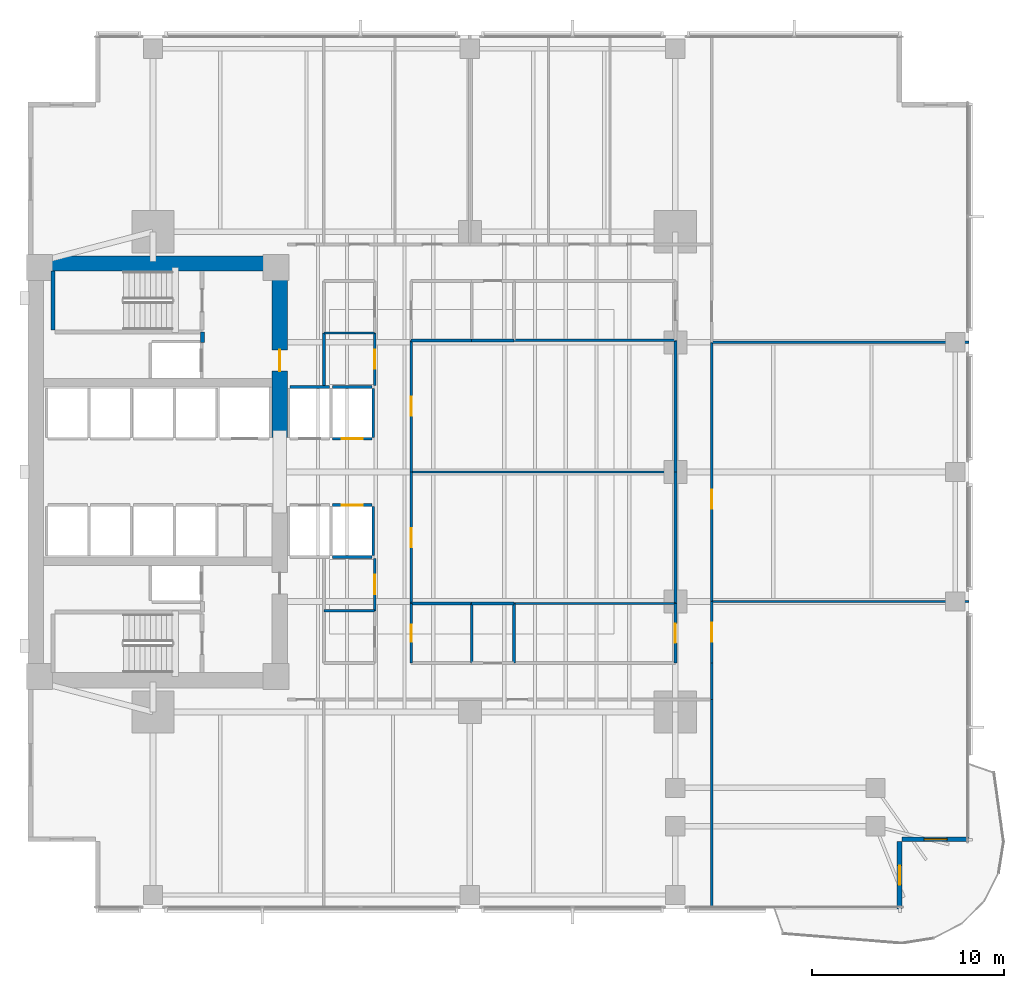
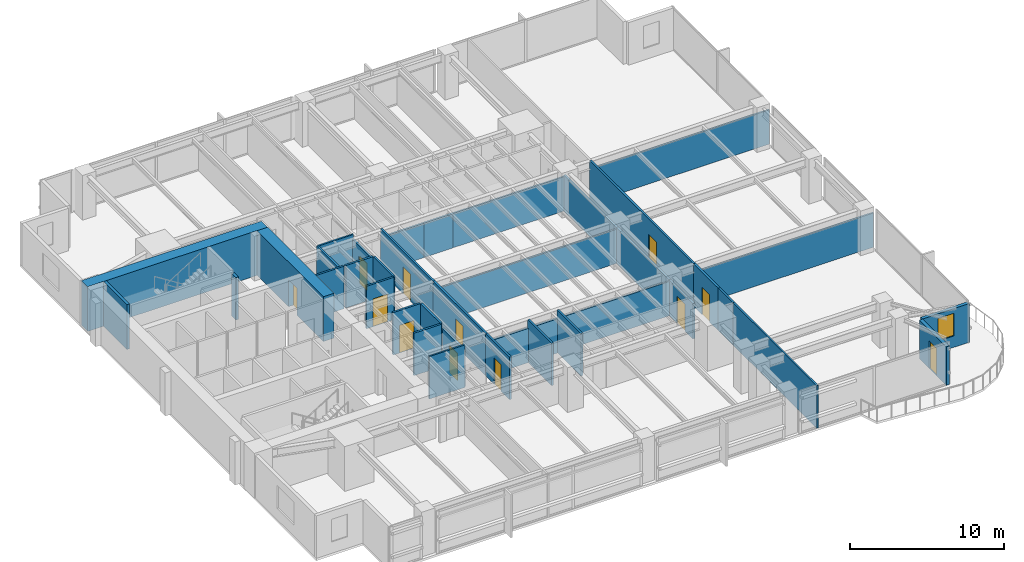
# One storey, part 9 of 15: 39 walls, 12 doors, 1 window, 13 openings.
"""IFC4 building model written with IfcOpenShell, lengths in metres."""

from ifc_helpers import new_model, si_unit, direction, frame, frame_2d, origin, place, context, subcontext, project, spatial, rectangle, extrude, material, layer, layer_set, type_object, element, fill, save


model = new_model("IFC4")

# Units and contexts
model_context = context("Model", 3, precision=1e-05, world=origin(), true_north=direction((0.0, 1.0)))
body_context = subcontext(model_context, "Body", "Model", "MODEL_VIEW")
ifc_project = project(units=[si_unit("LENGTHUNIT", "METRE"), si_unit("AREAUNIT", "SQUARE_METRE"), si_unit("VOLUMEUNIT", "CUBIC_METRE"), si_unit("PLANEANGLEUNIT", "RADIAN"), si_unit("MASSUNIT", "GRAM", prefix="KILO")], contexts=[model_context])

# Site, building, storey
site_placement = place(None, origin())
site = spatial("IfcSite", under=ifc_project, at=site_placement, CompositionType="ELEMENT")
building_placement = place(site_placement, origin())
building = spatial("IfcBuilding", under=site, at=building_placement, Name="Kinhvarn Gate Tower", CompositionType="ELEMENT")
storey_placement = place(building_placement, frame((0.0, 0.0, 50.449951171875)))
storey = spatial("IfcBuildingStorey", under=building, at=storey_placement, Name="L12", CompositionType="ELEMENT", Elevation=50.449951171875)

# Wall
ifc_material_1 = material(Name="Concrete C70/85", Category="concrete")
ifc_layer_1 = layer(ifc_material_1, 0.800048828125)
ifc_layer_set_1 = layer_set([ifc_layer_1], Name="Concrete C70/85")
wall_type_1 = type_object("IfcWallType", Name="WL-CORE-800", PredefinedType="SHEAR", material=ifc_layer_set_1)
wall_1_placement = place(storey_placement, frame((4.5, 36.10009765625, 0.0), z_axis=(0.0, 0.0, 1.0), x_axis=(1.0, 0.0, 0.0)))
element("IfcWall", 1, at=wall_1_placement, inside=storey, type_object=wall_type_1, Name="Core North Shear Wall L12 800 mm", PredefinedType="SHEAR", context=body_context, shape_type="SweptSolid", body=[
    extrude(rectangle(XDim=13.5, YDim=0.800048828125, at=frame_2d((6.75, 0.0))), origin(), (0.0, 0.0, 1.0), 3.550048828125),
])

# Wall, opening, door
wall_2_placement = place(storey_placement, frame((17.60009765625, 27.050048828125, 0.0), z_axis=(0.0, 0.0, 1.0), x_axis=(0.0, 1.0, 0.0)))
wall_2 = element("IfcWall", 2, at=wall_2_placement, inside=storey, type_object=wall_type_1, Name="Core East-North Shear Pier L12 800 mm", PredefinedType="SHEAR", context=body_context, shape_type="SweptSolid", body=[
    extrude(rectangle(XDim=8.64990234375, YDim=0.800048828125, at=frame_2d((4.324951171875, 0.0))), origin(), (0.0, 0.0, 1.0), 3.550048828125),
])
opening_1_placement = place(wall_2_placement, frame((3.449951171875, 0.0, 0.0)))
opening_1 = element("IfcOpeningElement", 3, at=opening_1_placement, cuts=wall_2, Name="Opening FD-02", PredefinedType="OPENING", context=body_context, shape_type="SweptSolid", body=[
    extrude(rectangle(XDim=1.10009765625, YDim=2.14990234375, at=frame_2d((0.550048828125, 1.074951171875))), frame((0.0, 0.41015625, 0.0), z_axis=(0.0, -1.0, 0.0), x_axis=(1.0, 0.0, 0.0)), (0.0, 0.0, 1.0), 0.820068359375),
])
ifc_material_2 = material(Name="Anodised aluminium AW-6063", Category="aluminium")
door_type_1 = type_object("IfcDoorType", Name="DR-FD-1100", OperationType="NOTDEFINED", PredefinedType="DOOR", material=ifc_material_2)
door_1_placement = place(opening_1_placement, origin())
door_1 = element("IfcDoor", 4, at=door_1_placement, inside=storey, type_object=door_type_1, Name="Firefighting Lobby Core Door (L12)", OperationType="SINGLE_SWING_LEFT", OverallHeight=2.14990234375, OverallWidth=1.10009765625, PredefinedType="DOOR", context=body_context, shape_type="SweptSolid", body=[
    extrude(rectangle(XDim=1.10009765625, YDim=2.14990234375, at=frame_2d((0.550048828125, 1.074951171875))), frame((0.0, 0.02490234375, 0.0), z_axis=(0.0, -1.0, 0.0), x_axis=(1.0, 0.0, 0.0)), (0.0, 0.0, 1.0), 0.050048828125),
])
fill(opening_1, door_1)

ifc_material_3 = material(Name="Fired architectural terracotta", Category="masonry")
ifc_layer_2 = layer(ifc_material_3, 0.25)
ifc_layer_set_2 = layer_set([ifc_layer_2], Name="Fired architectural terracotta")
wall_type_2 = type_object("IfcWallType", Name="WL-EXT-250", PredefinedType="SOLIDWALL", material=ifc_layer_set_2)
wall_3_placement = place(storey_placement, frame((49.875, 2.5, 0.0), z_axis=(0.0, 0.0, 1.0), x_axis=(0.0, 1.0, 0.0)))
wall_3 = element("IfcWall", 5, at=wall_3_placement, inside=storey, type_object=wall_type_2, Name="Exterior Solidwall Wall EW-250 (L12 SE-Notch-Door)", PredefinedType="SOLIDWALL", context=body_context, shape_type="SweptSolid", body=[
    extrude(rectangle(XDim=3.5, YDim=0.25, at=frame_2d((1.75, 0.0))), origin(), (0.0, 0.0, 1.0), 3.070068359375),
])
opening_2_placement = place(wall_3_placement, frame((1.25, 0.0, 0.0)))
opening_2 = element("IfcOpeningElement", 6, at=opening_2_placement, cuts=wall_3, Name="Opening BD-01", PredefinedType="OPENING", context=body_context, shape_type="SweptSolid", body=[
    extrude(rectangle(XDim=1.0, YDim=2.199951171875, at=frame_2d((0.5, 1.10009765625))), frame((0.0, 0.135009765625, 0.0), z_axis=(0.0, -1.0, 0.0), x_axis=(1.0, 0.0, 0.0)), (0.0, 0.0, 1.0), 0.27001953125),
])
ifc_material_4 = material(Name="Clear low-e double glazing", Category="glass")
door_type_2 = type_object("IfcDoorType", Name="DR-BAL-1000", OperationType="NOTDEFINED", PredefinedType="DOOR", material=ifc_material_4)
door_2_placement = place(opening_2_placement, frame((1.0, 0.0, 0.0), z_axis=(0.0, 0.0, 1.0), x_axis=(-1.0, 0.0, 0.0)))
door_2 = element("IfcDoor", 7, at=door_2_placement, inside=storey, type_object=door_type_2, Name="S-Carve Balcony Door BD-01 (L12)", OperationType="SINGLE_SWING_LEFT", OverallHeight=2.199951171875, OverallWidth=1.0, PredefinedType="DOOR", context=body_context, shape_type="SweptSolid", body=[
    extrude(rectangle(XDim=1.0, YDim=2.199951171875, at=frame_2d((0.5, 1.10009765625))), frame((0.0, 0.02490234375, 0.0), z_axis=(0.0, -1.0, 0.0), x_axis=(1.0, 0.0, 0.0)), (0.0, 0.0, 1.0), 0.050048828125),
])
fill(opening_2, door_2)

# Wall, opening, window
wall_4_placement = place(storey_placement, frame((50.0, 6.125, 0.0), z_axis=(0.0, 0.0, 1.0), x_axis=(1.0, 0.0, 0.0)))
wall_4 = element("IfcWall", 8, at=wall_4_placement, inside=storey, type_object=wall_type_2, Name="Exterior Solidwall Wall EW-250 (L12 SE-Notch-Win)", PredefinedType="SOLIDWALL", context=body_context, shape_type="SweptSolid", body=[
    extrude(rectangle(XDim=3.5, YDim=0.25, at=frame_2d((1.75, 0.0))), origin(), (0.0, 0.0, 1.0), 3.070068359375),
])
opening_3_placement = place(wall_4_placement, frame((1.14990234375, 0.0, 0.89990234375)))
opening_3 = element("IfcOpeningElement", 9, at=opening_3_placement, cuts=wall_4, Name="Opening WN-02", PredefinedType="OPENING", context=body_context, shape_type="SweptSolid", body=[
    extrude(rectangle(XDim=1.199951171875, YDim=1.800048828125, at=frame_2d((0.60009765625, 0.89990234375))), frame((0.0, 0.135009765625, 0.0), z_axis=(0.0, -1.0, 0.0), x_axis=(1.0, 0.0, 0.0)), (0.0, 0.0, 1.0), 0.27001953125),
])
window_type = type_object("IfcWindowType", Name="WIN-NTC-1200", PartitioningType="SINGLE_PANEL", PredefinedType="WINDOW", material=ifc_material_4)
window_placement = place(opening_3_placement, origin())
window = element("IfcWindow", 10, at=window_placement, inside=storey, type_object=window_type, Name="Recessed Corner Notch Punched Window 1200x1800 mm (L12)", OverallHeight=1.800048828125, OverallWidth=1.199951171875, PartitioningType="SINGLE_PANEL", PredefinedType="WINDOW", context=body_context, shape_type="SweptSolid", body=[
    extrude(rectangle(XDim=1.199951171875, YDim=1.800048828125, at=frame_2d((0.60009765625, 0.89990234375))), frame((0.0, 0.030029296875, 0.0), z_axis=(0.0, -1.0, 0.0), x_axis=(1.0, 0.0, 0.0)), (0.0, 0.0, 1.0), 0.06005859375),
])
fill(opening_3, window)

# Walls
ifc_material_5 = material(Name="Gypsum acoustic partition board")
ifc_layer_3 = layer(ifc_material_5, 0.14990234375)
ifc_layer_set_3 = layer_set([ifc_layer_3], Name="Gypsum acoustic partition board")
wall_type_3 = type_object("IfcWallType", Name="WL-PLM-150", PredefinedType="PLUMBINGWALL", material=ifc_layer_set_3)
wall_5_placement = place(storey_placement, frame((27.60009765625, 15.300048828125, 0.0), z_axis=(0.0, 0.0, 1.0), x_axis=(0.0, 1.0, 0.0)))
element("IfcWall", 11, at=wall_5_placement, inside=storey, type_object=wall_type_3, Name="Interior Partition PLW-150 (L12)", PredefinedType="PLUMBINGWALL", context=body_context, shape_type="SweptSolid", body=[
    extrude(rectangle(XDim=3.099853515625, YDim=0.14990234375, at=frame_2d((1.5498046875, 0.0))), origin(), (0.0, 0.0, 1.0), 3.3701171875),
])
for number, where, z_axis, x_axis, name in (
    (12, (24.449951171875, 18.39990234375, 0.0), (0.0, 0.0, 1.0), (1.0, 0.0, 0.0), "Interior Partition PLW-150 (L12)"),
    (13, (24.449951171875, 32.10009765625, 0.0), (0.0, 0.0, 1.0), (1.0, 0.0, 0.0), "Interior Partition PLW-150 (L12)"),
):
    element("IfcWall", number, at=place(storey_placement, frame(where, z_axis=z_axis, x_axis=x_axis)), inside=storey, type_object=wall_type_3, Name=name, PredefinedType="PLUMBINGWALL", context=body_context, shape_type="SweptSolid", body=[
        extrude(rectangle(XDim=3.150146484375, YDim=0.14990234375, at=frame_2d((1.5751953125, 0.0))), origin(), (0.0, 0.0, 1.0), 2.719970703125),
    ])
wall_6_placement = place(storey_placement, frame((29.800048828125, 15.300048828125, 0.0), z_axis=(0.0, 0.0, 1.0), x_axis=(0.0, 1.0, 0.0)))
element("IfcWall", 14, at=wall_6_placement, inside=storey, type_object=wall_type_3, Name="Interior Partition PLW-150 (L12)", PredefinedType="PLUMBINGWALL", context=body_context, shape_type="SweptSolid", body=[
    extrude(rectangle(XDim=3.099853515625, YDim=0.14990234375, at=frame_2d((1.5498046875, 0.0))), origin(), (0.0, 0.0, 1.0), 3.3701171875),
])
for number, where, z_axis, x_axis, name in (
    (15, (27.60009765625, 18.39990234375, 0.0), (0.0, 0.0, 1.0), (1.0, 0.0, 0.0), "Interior Partition PLW-150 (L12)"),
    (16, (27.60009765625, 32.10009765625, 0.0), (0.0, 0.0, 1.0), (1.0, 0.0, 0.0), "Interior Partition PLW-150 (L12)"),
):
    element("IfcWall", number, at=place(storey_placement, frame(where, z_axis=z_axis, x_axis=x_axis)), inside=storey, type_object=wall_type_3, Name=name, PredefinedType="PLUMBINGWALL", context=body_context, shape_type="SweptSolid", body=[
        extrude(rectangle(XDim=2.199951171875, YDim=0.14990234375, at=frame_2d((1.10009765625, 0.0))), origin(), (0.0, 0.0, 1.0), 2.719970703125),
    ])

# Wall, opening, door
ifc_layer_4 = layer(ifc_material_5, 0.14990234375)
ifc_layer_set_4 = layer_set([ifc_layer_4], Name="Gypsum acoustic partition board")
wall_type_4 = type_object("IfcWallType", Name="WL-PLM-150F", PredefinedType="PLUMBINGWALL", material=ifc_layer_set_4)
wall_7_placement = place(storey_placement, frame((24.449951171875, 15.300048828125, 0.0), z_axis=(0.0, 0.0, 1.0), x_axis=(0.0, 1.0, 0.0)))
wall_7 = element("IfcWall", 17, at=wall_7_placement, inside=storey, type_object=wall_type_4, Name="Interior Partition PLW-150F (L12)", PredefinedType="PLUMBINGWALL", context=body_context, shape_type="SweptSolid", body=[
    extrude(rectangle(XDim=3.099853515625, YDim=0.14990234375, at=frame_2d((1.5498046875, 0.0))), origin(), (0.0, 0.0, 1.0), 3.3701171875),
])
opening_4_placement = place(wall_7_placement, frame((1.10009765625, 0.0, 0.0)))
opening_4 = element("IfcOpeningElement", 18, at=opening_4_placement, cuts=wall_7, Name="Opening FD-04", PredefinedType="OPENING", context=body_context, shape_type="SweptSolid", body=[
    extrude(rectangle(XDim=0.89990234375, YDim=2.10009765625, at=frame_2d((0.449951171875, 1.050048828125))), frame((0.0, 0.0849609375, 0.0), z_axis=(0.0, -1.0, 0.0), x_axis=(1.0, 0.0, 0.0)), (0.0, 0.0, 1.0), 0.169921875),
])
door_type_3 = type_object("IfcDoorType", Name="DR-FD-900", OperationType="NOTDEFINED", PredefinedType="DOOR", material=ifc_material_2)
door_3_placement = place(opening_4_placement, origin())
door_3 = element("IfcDoor", 19, at=door_3_placement, inside=storey, type_object=door_type_3, Name="Rated Riser & Service Closet Fire Door 900x2100 mm (L12)", OperationType="SINGLE_SWING_LEFT", OverallHeight=2.10009765625, OverallWidth=0.89990234375, PredefinedType="DOOR", context=body_context, shape_type="SweptSolid", body=[
    extrude(rectangle(XDim=0.89990234375, YDim=2.10009765625, at=frame_2d((0.449951171875, 1.050048828125))), frame((0.0, 0.02490234375, 0.0), z_axis=(0.0, -1.0, 0.0), x_axis=(1.0, 0.0, 0.0)), (0.0, 0.0, 1.0), 0.050048828125),
])
fill(opening_4, door_3)

# Walls
ifc_layer_5 = layer(ifc_material_5, 0.1201171875)
ifc_layer_set_5 = layer_set([ifc_layer_5], Name="Gypsum acoustic partition board")
wall_type_5 = type_object("IfcWallType", Name="WL-PRT-120", PredefinedType="PARTITIONING", material=ifc_layer_set_5)
for number, where, z_axis, x_axis, name in (
    (20, (19.89990234375, 18.02001953125, 0.0), (0.0, 0.0, 1.0), (1.0, 0.0, 0.0), "Interior Partition PW-120 (L12)"),
    (21, (19.89990234375, 32.47998046875, 0.0), (0.0, 0.0, 1.0), (1.0, 0.0, 0.0), "Interior Partition PW-120 (L12)"),
):
    element("IfcWall", number, at=place(storey_placement, frame(where, z_axis=z_axis, x_axis=x_axis)), inside=storey, type_object=wall_type_5, Name=name, PredefinedType="PARTITIONING", context=body_context, shape_type="SweptSolid", body=[
        extrude(rectangle(XDim=2.650146484375, YDim=0.1201171875, at=frame_2d((1.3251953125, 0.0))), origin(), (0.0, 0.0, 1.0), 3.3701171875),
    ])
for number, where, z_axis, x_axis, name in (
    (22, (29.800048828125, 18.39990234375, 0.0), (0.0, 0.0, 1.0), (1.0, 0.0, 0.0), "Interior Partition PW-120 (L12)"),
    (23, (29.800048828125, 32.10009765625, 0.0), (0.0, 0.0, 1.0), (1.0, 0.0, 0.0), "Interior Partition PW-120 (L12)"),
):
    element("IfcWall", number, at=place(storey_placement, frame(where, z_axis=z_axis, x_axis=x_axis)), inside=storey, type_object=wall_type_5, Name=name, PredefinedType="PARTITIONING", context=body_context, shape_type="SweptSolid", body=[
        extrude(rectangle(XDim=8.39990234375, YDim=0.1201171875, at=frame_2d((4.199951171875, 0.0))), origin(), (0.0, 0.0, 1.0), 2.719970703125),
    ])
wall_8_placement = place(storey_placement, frame((24.449951171875, 25.25, 0.0), z_axis=(0.0, 0.0, 1.0), x_axis=(1.0, 0.0, 0.0)))
element("IfcWall", 24, at=wall_8_placement, inside=storey, type_object=wall_type_5, Name="Interior Partition PW-120 (L12)", PredefinedType="PARTITIONING", context=body_context, shape_type="SweptSolid", body=[
    extrude(rectangle(XDim=13.75, YDim=0.1201171875, at=frame_2d((6.875, 0.0))), origin(), (0.0, 0.0, 1.0), 2.719970703125),
])
wall_9_placement = place(storey_placement, frame((40.10009765625, 2.510009765625, 0.0), z_axis=(0.0, 0.0, 1.0), x_axis=(0.0, 1.0, 0.0)))
element("IfcWall", 25, at=wall_9_placement, inside=storey, type_object=wall_type_5, Name="Interior Partition PW-120 (L12)", PredefinedType="PARTITIONING", context=body_context, shape_type="SweptSolid", body=[
    extrude(rectangle(XDim=10.889892578125, YDim=0.1201171875, at=frame_2d((5.44482421875, 0.0))), origin(), (0.0, 0.0, 1.0), 3.3701171875),
])
for number, where, z_axis, x_axis, name in (
    (26, (40.10009765625, 18.5, 0.0), (0.0, 0.0, 1.0), (1.0, 0.0, 0.0), "Interior Partition PW-120 (L12)"),
    (27, (40.10009765625, 32.0, 0.0), (0.0, 0.0, 1.0), (1.0, 0.0, 0.0), "Interior Partition PW-120 (L12)"),
):
    element("IfcWall", number, at=place(storey_placement, frame(where, z_axis=z_axis, x_axis=x_axis)), inside=storey, type_object=wall_type_5, Name=name, PredefinedType="PARTITIONING", context=body_context, shape_type="SweptSolid", body=[
        extrude(rectangle(XDim=13.389892578125, YDim=0.1201171875, at=frame_2d((6.69482421875, 0.0))), origin(), (0.0, 0.0, 1.0), 2.719970703125),
    ])

# Wall, opening, door
ifc_layer_6 = layer(ifc_material_5, 0.14990234375)
ifc_layer_set_6 = layer_set([ifc_layer_6], Name="Gypsum acoustic partition board")
wall_type_6 = type_object("IfcWallType", Name="WL-PRT-150F", PredefinedType="PARTITIONING", material=ifc_layer_set_6)
wall_10_placement = place(storey_placement, frame((22.550048828125, 18.02001953125, 0.0), z_axis=(0.0, 0.0, 1.0), x_axis=(0.0, 1.0, 0.0)))
wall_10 = element("IfcWall", 28, at=wall_10_placement, inside=storey, type_object=wall_type_6, Name="Interior Partition PW-150F (L12)", PredefinedType="PARTITIONING", context=body_context, shape_type="SweptSolid", body=[
    extrude(rectangle(XDim=2.72998046875, YDim=0.14990234375, at=frame_2d((1.364990234375, 0.0))), origin(), (0.0, 0.0, 1.0), 3.010009765625),
])
opening_5_placement = place(wall_10_placement, frame((0.864990234375, 0.0, 0.0)))
opening_5 = element("IfcOpeningElement", 29, at=opening_5_placement, cuts=wall_10, Name="Opening ID-02", PredefinedType="OPENING", context=body_context, shape_type="SweptSolid", body=[
    extrude(rectangle(XDim=1.0, YDim=2.14990234375, at=frame_2d((0.5, 1.074951171875))), frame((0.0, 0.0849609375, 0.0), z_axis=(0.0, -1.0, 0.0), x_axis=(1.0, 0.0, 0.0)), (0.0, 0.0, 1.0), 0.169921875),
])
door_type_4 = type_object("IfcDoorType", Name="DR-INT-1000", OperationType="NOTDEFINED", PredefinedType="DOOR", material=ifc_material_2)
door_4_placement = place(opening_5_placement, origin())
door_4 = element("IfcDoor", 30, at=door_4_placement, inside=storey, type_object=door_type_4, Name="Standard Office & Meeting Room Door 1000x2150 mm (L12)", OperationType="SINGLE_SWING_RIGHT", OverallHeight=2.14990234375, OverallWidth=1.0, PredefinedType="DOOR", context=body_context, shape_type="SweptSolid", body=[
    extrude(rectangle(XDim=1.0, YDim=2.14990234375, at=frame_2d((0.5, 1.074951171875))), frame((0.0, 0.02490234375, 0.0), z_axis=(0.0, -1.0, 0.0), x_axis=(1.0, 0.0, 0.0)), (0.0, 0.0, 1.0), 0.050048828125),
])
fill(opening_5, door_4)

wall_11_placement = place(storey_placement, frame((22.550048828125, 29.75, 0.0), z_axis=(0.0, 0.0, 1.0), x_axis=(0.0, 1.0, 0.0)))
wall_11 = element("IfcWall", 31, at=wall_11_placement, inside=storey, type_object=wall_type_6, Name="Interior Partition PW-150F (L12)", PredefinedType="PARTITIONING", context=body_context, shape_type="SweptSolid", body=[
    extrude(rectangle(XDim=2.72998046875, YDim=0.14990234375, at=frame_2d((1.364990234375, 0.0))), origin(), (0.0, 0.0, 1.0), 3.010009765625),
])
opening_6_placement = place(wall_11_placement, frame((0.864990234375, 0.0, 0.0)))
opening_6 = element("IfcOpeningElement", 32, at=opening_6_placement, cuts=wall_11, Name="Opening ID-02", PredefinedType="OPENING", context=body_context, shape_type="SweptSolid", body=[
    extrude(rectangle(XDim=1.0, YDim=2.14990234375, at=frame_2d((0.5, 1.074951171875))), frame((0.0, 0.0849609375, 0.0), z_axis=(0.0, -1.0, 0.0), x_axis=(1.0, 0.0, 0.0)), (0.0, 0.0, 1.0), 0.169921875),
])
door_5_placement = place(opening_6_placement, origin())
door_5 = element("IfcDoor", 33, at=door_5_placement, inside=storey, type_object=door_type_4, Name="Standard Office & Meeting Room Door 1000x2150 mm (L12)", OperationType="SINGLE_SWING_LEFT", OverallHeight=2.14990234375, OverallWidth=1.0, PredefinedType="DOOR", context=body_context, shape_type="SweptSolid", body=[
    extrude(rectangle(XDim=1.0, YDim=2.14990234375, at=frame_2d((0.5, 1.074951171875))), frame((0.0, 0.02490234375, 0.0), z_axis=(0.0, -1.0, 0.0), x_axis=(1.0, 0.0, 0.0)), (0.0, 0.0, 1.0), 0.050048828125),
])
fill(opening_6, door_5)

wall_12_placement = place(storey_placement, frame((24.449951171875, 18.39990234375, 0.0), z_axis=(0.0, 0.0, 1.0), x_axis=(0.0, 1.0, 0.0)))
wall_12 = element("IfcWall", 34, at=wall_12_placement, inside=storey, type_object=wall_type_6, Name="Interior Partition PW-150F (L12)", PredefinedType="PARTITIONING", context=body_context, shape_type="SweptSolid", body=[
    extrude(rectangle(XDim=6.85009765625, YDim=0.14990234375, at=frame_2d((3.425048828125, 0.0))), origin(), (0.0, 0.0, 1.0), 3.3701171875),
])
opening_7_placement = place(wall_12_placement, frame((2.925048828125, 0.0, 0.0)))
opening_7 = element("IfcOpeningElement", 35, at=opening_7_placement, cuts=wall_12, Name="Opening ID-02", PredefinedType="OPENING", context=body_context, shape_type="SweptSolid", body=[
    extrude(rectangle(XDim=1.0, YDim=2.14990234375, at=frame_2d((0.5, 1.074951171875))), frame((0.0, 0.0849609375, 0.0), z_axis=(0.0, -1.0, 0.0), x_axis=(1.0, 0.0, 0.0)), (0.0, 0.0, 1.0), 0.169921875),
])
door_6_placement = place(opening_7_placement, origin())
door_6 = element("IfcDoor", 36, at=door_6_placement, inside=storey, type_object=door_type_4, Name="Standard Office & Meeting Room Door 1000x2150 mm (L12)", OperationType="SINGLE_SWING_LEFT", OverallHeight=2.14990234375, OverallWidth=1.0, PredefinedType="DOOR", context=body_context, shape_type="SweptSolid", body=[
    extrude(rectangle(XDim=1.0, YDim=2.14990234375, at=frame_2d((0.5, 1.074951171875))), frame((0.0, 0.02490234375, 0.0), z_axis=(0.0, -1.0, 0.0), x_axis=(1.0, 0.0, 0.0)), (0.0, 0.0, 1.0), 0.050048828125),
])
fill(opening_7, door_6)

wall_13_placement = place(storey_placement, frame((24.449951171875, 25.25, 0.0), z_axis=(0.0, 0.0, 1.0), x_axis=(0.0, 1.0, 0.0)))
wall_13 = element("IfcWall", 37, at=wall_13_placement, inside=storey, type_object=wall_type_6, Name="Interior Partition PW-150F (L12)", PredefinedType="PARTITIONING", context=body_context, shape_type="SweptSolid", body=[
    extrude(rectangle(XDim=6.85009765625, YDim=0.14990234375, at=frame_2d((3.425048828125, 0.0))), origin(), (0.0, 0.0, 1.0), 3.3701171875),
])
opening_8_placement = place(wall_13_placement, frame((2.925048828125, 0.0, 0.0)))
opening_8 = element("IfcOpeningElement", 38, at=opening_8_placement, cuts=wall_13, Name="Opening ID-02", PredefinedType="OPENING", context=body_context, shape_type="SweptSolid", body=[
    extrude(rectangle(XDim=1.0, YDim=2.14990234375, at=frame_2d((0.5, 1.074951171875))), frame((0.0, 0.0849609375, 0.0), z_axis=(0.0, -1.0, 0.0), x_axis=(1.0, 0.0, 0.0)), (0.0, 0.0, 1.0), 0.169921875),
])
door_7_placement = place(opening_8_placement, origin())
door_7 = element("IfcDoor", 39, at=door_7_placement, inside=storey, type_object=door_type_4, Name="Standard Office & Meeting Room Door 1000x2150 mm (L12)", OperationType="SINGLE_SWING_RIGHT", OverallHeight=2.14990234375, OverallWidth=1.0, PredefinedType="DOOR", context=body_context, shape_type="SweptSolid", body=[
    extrude(rectangle(XDim=1.0, YDim=2.14990234375, at=frame_2d((0.5, 1.074951171875))), frame((0.0, 0.02490234375, 0.0), z_axis=(0.0, -1.0, 0.0), x_axis=(1.0, 0.0, 0.0)), (0.0, 0.0, 1.0), 0.050048828125),
])
fill(opening_8, door_7)

# Walls
wall_14_placement = place(storey_placement, frame((19.89990234375, 29.75, 0.0), z_axis=(0.0, 0.0, 1.0), x_axis=(0.0, 1.0, 0.0)))
element("IfcWall", 40, at=wall_14_placement, inside=storey, type_object=wall_type_6, Name="Interior Partition PW-150F (L12)", PredefinedType="PARTITIONING", context=body_context, shape_type="SweptSolid", body=[
    extrude(rectangle(XDim=2.72998046875, YDim=0.14990234375, at=frame_2d((1.364990234375, 0.0))), origin(), (0.0, 0.0, 1.0), 3.3701171875),
])
wall_15_placement = place(storey_placement, frame((40.10009765625, 13.39990234375, 0.0), z_axis=(0.0, 0.0, 1.0), x_axis=(0.0, 1.0, 0.0)))
element("IfcWall", 41, at=wall_15_placement, inside=storey, type_object=wall_type_6, Name="Interior Partition PW-150F (L12)", PredefinedType="PARTITIONING", context=body_context, shape_type="SweptSolid", body=[
    extrude(rectangle(XDim=1.900146484375, YDim=0.14990234375, at=frame_2d((0.9501953125, 0.0))), origin(), (0.0, 0.0, 1.0), 3.3701171875),
])

# Wall, opening, door
wall_16_placement = place(storey_placement, frame((38.199951171875, 15.300048828125, 0.0), z_axis=(0.0, 0.0, 1.0), x_axis=(0.0, 1.0, 0.0)))
wall_16 = element("IfcWall", 42, at=wall_16_placement, inside=storey, type_object=wall_type_6, Name="Interior Partition PW-150F (L12)", PredefinedType="PARTITIONING", context=body_context, shape_type="SweptSolid", body=[
    extrude(rectangle(XDim=3.099853515625, YDim=0.14990234375, at=frame_2d((1.5498046875, 0.0))), origin(), (0.0, 0.0, 1.0), 2.820068359375),
])
opening_9_placement = place(wall_16_placement, frame((1.050048828125, 0.0, 0.0)))
opening_9 = element("IfcOpeningElement", 43, at=opening_9_placement, cuts=wall_16, Name="Opening ID-02", PredefinedType="OPENING", context=body_context, shape_type="SweptSolid", body=[
    extrude(rectangle(XDim=1.0, YDim=2.14990234375, at=frame_2d((0.5, 1.074951171875))), frame((0.0, 0.0849609375, 0.0), z_axis=(0.0, -1.0, 0.0), x_axis=(1.0, 0.0, 0.0)), (0.0, 0.0, 1.0), 0.169921875),
])
door_8_placement = place(opening_9_placement, origin())
door_8 = element("IfcDoor", 44, at=door_8_placement, inside=storey, type_object=door_type_4, Name="Standard Office & Meeting Room Door 1000x2150 mm (L12)", OperationType="SINGLE_SWING_LEFT", OverallHeight=2.14990234375, OverallWidth=1.0, PredefinedType="DOOR", context=body_context, shape_type="SweptSolid", body=[
    extrude(rectangle(XDim=1.0, YDim=2.14990234375, at=frame_2d((0.5, 1.074951171875))), frame((0.0, 0.02490234375, 0.0), z_axis=(0.0, -1.0, 0.0), x_axis=(1.0, 0.0, 0.0)), (0.0, 0.0, 1.0), 0.050048828125),
])
fill(opening_9, door_8)

# Walls
for number, where, z_axis, x_axis, name in (
    (45, (38.199951171875, 18.39990234375, 0.0), (0.0, 0.0, 1.0), (0.0, 1.0, 0.0), "Interior Partition PW-150F (L12)"),
    (46, (38.199951171875, 25.25, 0.0), (0.0, 0.0, 1.0), (0.0, 1.0, 0.0), "Interior Partition PW-150F (L12)"),
):
    element("IfcWall", number, at=place(storey_placement, frame(where, z_axis=z_axis, x_axis=x_axis)), inside=storey, type_object=wall_type_6, Name=name, PredefinedType="PARTITIONING", context=body_context, shape_type="SweptSolid", body=[
        extrude(rectangle(XDim=6.85009765625, YDim=0.14990234375, at=frame_2d((3.425048828125, 0.0))), origin(), (0.0, 0.0, 1.0), 2.820068359375),
    ])

# Wall, opening, door
wall_17_placement = place(storey_placement, frame((40.10009765625, 15.300048828125, 0.0), z_axis=(0.0, 0.0, 1.0), x_axis=(0.0, 1.0, 0.0)))
wall_17 = element("IfcWall", 47, at=wall_17_placement, inside=storey, type_object=wall_type_6, Name="Interior Partition PW-150F (L12)", PredefinedType="PARTITIONING", context=body_context, shape_type="SweptSolid", body=[
    extrude(rectangle(XDim=3.199951171875, YDim=0.14990234375, at=frame_2d((1.60009765625, 0.0))), origin(), (0.0, 0.0, 1.0), 3.3701171875),
])
opening_10_placement = place(wall_17_placement, frame((1.10009765625, 0.0, 0.0)))
opening_10 = element("IfcOpeningElement", 48, at=opening_10_placement, cuts=wall_17, Name="Opening ID-02", PredefinedType="OPENING", context=body_context, shape_type="SweptSolid", body=[
    extrude(rectangle(XDim=1.0, YDim=2.14990234375, at=frame_2d((0.5, 1.074951171875))), frame((0.0, 0.0849609375, 0.0), z_axis=(0.0, -1.0, 0.0), x_axis=(1.0, 0.0, 0.0)), (0.0, 0.0, 1.0), 0.169921875),
])
door_9_placement = place(opening_10_placement, origin())
door_9 = element("IfcDoor", 49, at=door_9_placement, inside=storey, type_object=door_type_4, Name="Standard Office & Meeting Room Door 1000x2150 mm (L12)", OperationType="SINGLE_SWING_LEFT", OverallHeight=2.14990234375, OverallWidth=1.0, PredefinedType="DOOR", context=body_context, shape_type="SweptSolid", body=[
    extrude(rectangle(XDim=1.0, YDim=2.14990234375, at=frame_2d((0.5, 1.074951171875))), frame((0.0, 0.02490234375, 0.0), z_axis=(0.0, -1.0, 0.0), x_axis=(1.0, 0.0, 0.0)), (0.0, 0.0, 1.0), 0.050048828125),
])
fill(opening_10, door_9)

wall_18_placement = place(storey_placement, frame((40.10009765625, 18.5, 0.0), z_axis=(0.0, 0.0, 1.0), x_axis=(0.0, 1.0, 0.0)))
wall_18 = element("IfcWall", 50, at=wall_18_placement, inside=storey, type_object=wall_type_6, Name="Interior Partition PW-150F (L12)", PredefinedType="PARTITIONING", context=body_context, shape_type="SweptSolid", body=[
    extrude(rectangle(XDim=13.5, YDim=0.14990234375, at=frame_2d((6.75, 0.0))), origin(), (0.0, 0.0, 1.0), 3.3701171875),
])
opening_11_placement = place(wall_18_placement, frame((4.825927734375, 0.0, 0.0)))
opening_11 = element("IfcOpeningElement", 51, at=opening_11_placement, cuts=wall_18, Name="Opening ID-02", PredefinedType="OPENING", context=body_context, shape_type="SweptSolid", body=[
    extrude(rectangle(XDim=1.0, YDim=2.14990234375, at=frame_2d((0.5, 1.074951171875))), frame((0.0, 0.0849609375, 0.0), z_axis=(0.0, -1.0, 0.0), x_axis=(1.0, 0.0, 0.0)), (0.0, 0.0, 1.0), 0.169921875),
])
door_10_placement = place(opening_11_placement, origin())
door_10 = element("IfcDoor", 52, at=door_10_placement, inside=storey, type_object=door_type_4, Name="Standard Office & Meeting Room Door 1000x2150 mm (L12)", OperationType="SINGLE_SWING_RIGHT", OverallHeight=2.14990234375, OverallWidth=1.0, PredefinedType="DOOR", context=body_context, shape_type="SweptSolid", body=[
    extrude(rectangle(XDim=1.0, YDim=2.14990234375, at=frame_2d((0.5, 1.074951171875))), frame((0.0, 0.02490234375, 0.0), z_axis=(0.0, -1.0, 0.0), x_axis=(1.0, 0.0, 0.0)), (0.0, 0.0, 1.0), 0.050048828125),
])
fill(opening_11, door_10)

# Walls
ifc_layer_7 = layer(ifc_material_5, 0.199951171875)
ifc_layer_set_7 = layer_set([ifc_layer_7], Name="Gypsum acoustic partition board")
wall_type_7 = type_object("IfcWallType", Name="WL-PRT-200", PredefinedType="PARTITIONING", material=ifc_layer_set_7)
wall_19_placement = place(storey_placement, frame((13.580078125, 32.0, 0.0), z_axis=(0.0, 0.0, 1.0), x_axis=(0.0, 1.0, 0.0)))
element("IfcWall", 53, at=wall_19_placement, inside=storey, type_object=wall_type_7, Name="Interior Partition PW-200 (L12)", PredefinedType="PARTITIONING", context=body_context, shape_type="SweptSolid", body=[
    extrude(rectangle(XDim=0.5400390625, YDim=0.199951171875, at=frame_2d((0.27001953125, 0.0))), origin(), (0.0, 0.0, 1.0), 3.3701171875),
])
ifc_layer_8 = layer(ifc_material_5, 0.14990234375)
ifc_layer_set_8 = layer_set([ifc_layer_8], Name="Gypsum acoustic partition board")
wall_type_8 = type_object("IfcWallType", Name="WL-SHF-150", PredefinedType="PARTITIONING", material=ifc_layer_set_8)
wall_20_placement = place(storey_placement, frame((20.35009765625, 20.824951171875, 0.0), z_axis=(0.0, 0.0, 1.0), x_axis=(1.0, 0.0, 0.0)))
element("IfcWall", 54, at=wall_20_placement, inside=storey, type_object=wall_type_8, Name="Elevator PL-02 Hoistway Wall S (L12)", PredefinedType="PARTITIONING", context=body_context, shape_type="SweptSolid", body=[
    extrude(rectangle(XDim=2.0498046875, YDim=0.14990234375, at=frame_2d((1.02490234375, 0.0))), origin(), (0.0, 0.0, 1.0), 3.3701171875),
])

# Wall, opening, door
wall_21_placement = place(storey_placement, frame((20.35009765625, 23.52490234375, 0.0), z_axis=(0.0, 0.0, 1.0), x_axis=(1.0, 0.0, 0.0)))
wall_21 = element("IfcWall", 55, at=wall_21_placement, inside=storey, type_object=wall_type_8, Name="Elevator PL-02 Landing Wall (L12)", PredefinedType="PARTITIONING", context=body_context, shape_type="SweptSolid", body=[
    extrude(rectangle(XDim=2.0498046875, YDim=0.14990234375, at=frame_2d((1.02490234375, 0.0))), origin(), (0.0, 0.0, 1.0), 3.3701171875),
])
opening_12_placement = place(wall_21_placement, frame((0.47509765625, 0.0, 0.0)))
opening_12 = element("IfcOpeningElement", 56, at=opening_12_placement, cuts=wall_21, Name="Opening LD-01", PredefinedType="OPENING", context=body_context, shape_type="SweptSolid", body=[
    extrude(rectangle(XDim=1.10009765625, YDim=2.199951171875, at=frame_2d((0.550048828125, 1.10009765625))), frame((0.0, 0.0849609375, 0.0), z_axis=(0.0, -1.0, 0.0), x_axis=(1.0, 0.0, 0.0)), (0.0, 0.0, 1.0), 0.169921875),
])
door_type_5 = type_object("IfcDoorType", Name="DR-LND-PAS", OperationType="NOTDEFINED", PredefinedType="DOOR", material=ifc_material_2)
door_11_placement = place(opening_12_placement, origin())
door_11 = element("IfcDoor", 57, at=door_11_placement, inside=storey, type_object=door_type_5, Name="Elevator PL-02 Sliding Landing Door (L12)", OperationType="DOUBLE_DOOR_SLIDING", OverallHeight=2.199951171875, OverallWidth=1.10009765625, PredefinedType="DOOR", context=body_context, shape_type="SweptSolid", body=[
    extrude(rectangle(XDim=1.10009765625, YDim=2.199951171875, at=frame_2d((0.550048828125, 1.10009765625))), frame((0.0, 0.02490234375, 0.0), z_axis=(0.0, -1.0, 0.0), x_axis=(1.0, 0.0, 0.0)), (0.0, 0.0, 1.0), 0.050048828125),
])
fill(opening_12, door_11)

# Walls
wall_22_placement = place(storey_placement, frame((22.47509765625, 20.89990234375, 0.0), z_axis=(0.0, 0.0, 1.0), x_axis=(0.0, 1.0, 0.0)))
element("IfcWall", 58, at=wall_22_placement, inside=storey, type_object=wall_type_8, Name="Elevator PL-02 Hoistway Wall E (L12)", PredefinedType="PARTITIONING", context=body_context, shape_type="SweptSolid", body=[
    extrude(rectangle(XDim=2.550048828125, YDim=0.14990234375, at=frame_2d((1.27490234375, 0.0))), origin(), (0.0, 0.0, 1.0), 3.3701171875),
])
wall_23_placement = place(storey_placement, frame((18.14990234375, 29.675048828125, 0.0), z_axis=(0.0, 0.0, 1.0), x_axis=(1.0, 0.0, 0.0)))
element("IfcWall", 59, at=wall_23_placement, inside=storey, type_object=wall_type_8, Name="Elevator PL-03 Hoistway Wall N (L12)", PredefinedType="PARTITIONING", context=body_context, shape_type="SweptSolid", body=[
    extrude(rectangle(XDim=2.050048828125, YDim=0.14990234375, at=frame_2d((1.02490234375, 0.0))), origin(), (0.0, 0.0, 1.0), 3.3701171875),
])

# Wall, opening, door
wall_24_placement = place(storey_placement, frame((20.35009765625, 26.97509765625, 0.0), z_axis=(0.0, 0.0, 1.0), x_axis=(1.0, 0.0, 0.0)))
wall_24 = element("IfcWall", 60, at=wall_24_placement, inside=storey, type_object=wall_type_8, Name="Elevator PL-04 Landing Wall (L12)", PredefinedType="PARTITIONING", context=body_context, shape_type="SweptSolid", body=[
    extrude(rectangle(XDim=2.0498046875, YDim=0.14990234375, at=frame_2d((1.02490234375, 0.0))), origin(), (0.0, 0.0, 1.0), 3.3701171875),
])
opening_13_placement = place(wall_24_placement, frame((0.47509765625, 0.0, 0.0)))
opening_13 = element("IfcOpeningElement", 61, at=opening_13_placement, cuts=wall_24, Name="Opening LD-01", PredefinedType="OPENING", context=body_context, shape_type="SweptSolid", body=[
    extrude(rectangle(XDim=1.10009765625, YDim=2.199951171875, at=frame_2d((0.550048828125, 1.10009765625))), frame((0.0, 0.0849609375, 0.0), z_axis=(0.0, -1.0, 0.0), x_axis=(1.0, 0.0, 0.0)), (0.0, 0.0, 1.0), 0.169921875),
])
door_12_placement = place(opening_13_placement, origin())
door_12 = element("IfcDoor", 62, at=door_12_placement, inside=storey, type_object=door_type_5, Name="Elevator PL-04 Sliding Landing Door (L12)", OperationType="DOUBLE_DOOR_SLIDING", OverallHeight=2.199951171875, OverallWidth=1.10009765625, PredefinedType="DOOR", context=body_context, shape_type="SweptSolid", body=[
    extrude(rectangle(XDim=1.10009765625, YDim=2.199951171875, at=frame_2d((0.550048828125, 1.10009765625))), frame((0.0, 0.02490234375, 0.0), z_axis=(0.0, -1.0, 0.0), x_axis=(1.0, 0.0, 0.0)), (0.0, 0.0, 1.0), 0.050048828125),
])
fill(opening_13, door_12)

# Walls
wall_25_placement = place(storey_placement, frame((20.35009765625, 29.675048828125, 0.0), z_axis=(0.0, 0.0, 1.0), x_axis=(1.0, 0.0, 0.0)))
element("IfcWall", 63, at=wall_25_placement, inside=storey, type_object=wall_type_8, Name="Elevator PL-04 Hoistway Wall N (L12)", PredefinedType="PARTITIONING", context=body_context, shape_type="SweptSolid", body=[
    extrude(rectangle(XDim=2.0498046875, YDim=0.14990234375, at=frame_2d((1.02490234375, 0.0))), origin(), (0.0, 0.0, 1.0), 3.3701171875),
])
wall_26_placement = place(storey_placement, frame((22.47509765625, 27.050048828125, 0.0), z_axis=(0.0, 0.0, 1.0), x_axis=(0.0, 1.0, 0.0)))
element("IfcWall", 64, at=wall_26_placement, inside=storey, type_object=wall_type_8, Name="Elevator PL-04 Hoistway Wall E (L12)", PredefinedType="PARTITIONING", context=body_context, shape_type="SweptSolid", body=[
    extrude(rectangle(XDim=2.550048828125, YDim=0.14990234375, at=frame_2d((1.27490234375, 0.0))), origin(), (0.0, 0.0, 1.0), 3.3701171875),
])
ifc_material_6 = material(Name="Concrete C40/50", Category="concrete")
ifc_layer_9 = layer(ifc_material_6, 0.199951171875)
ifc_layer_set_9 = layer_set([ifc_layer_9], Name="Concrete C40/50")
wall_type_9 = type_object("IfcWallType", Name="WL-SHF-200", PredefinedType="SOLIDWALL", material=ifc_layer_set_9)
wall_27_placement = place(storey_placement, frame((5.7900390625, 32.64990234375, 0.0), z_axis=(0.0, 0.0, 1.0), x_axis=(0.0, 1.0, 0.0)))
element("IfcWall", 65, at=wall_27_placement, inside=storey, type_object=wall_type_9, Name="Stair ST2 West Shaft Wall (L12)", PredefinedType="SOLIDWALL", context=body_context, shape_type="SweptSolid", body=[
    extrude(rectangle(XDim=3.050048828125, YDim=0.199951171875, at=frame_2d((1.52490234375, 0.0))), origin(), (0.0, 0.0, 1.0), 3.550048828125),
])

save(model, "model.ifc")
